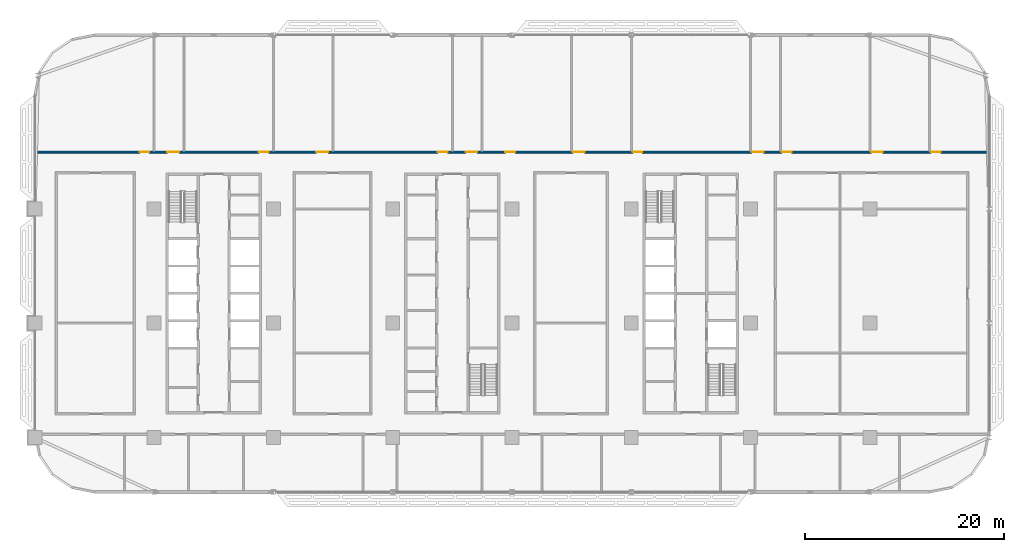
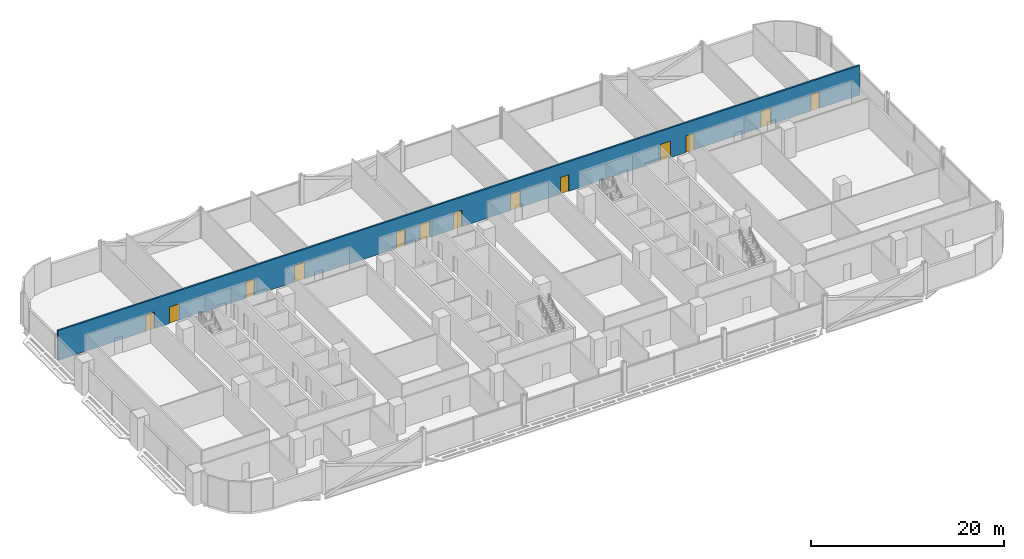
# One storey, part 15 of 29: 13 doors, 1 wall, 13 openings.
"""IFC4 building model written with IfcOpenShell, lengths in metres."""

import ifcopenshell
import ifcopenshell.guid

model = None  # the IFC model being written
_history = None  # IfcOwnerHistory: only IFC2X3 demands one
_inside = {}  # id of a spatial element -> (the spatial element, [elements in it])
_under = {}  # id of a project, library or spatial element -> (it, [spatial elements below it])
_declared = {}  # id of a project -> (the project, [libraries it declares])
_typed = {}  # id of a type object -> (the type object, [elements of that type])
_made_of = {}  # id of a material, layer set ... -> (it, [elements and type objects made of it])


def new_model(schema):
    """Start an empty IFC model of exactly this schema.

    Asked for "IFC4X3", IfcOpenShell would pick the latest addendum, in which some entities
    have other attributes; the version numbers below select the first issue.
    IFC2X3 requires an IfcOwnerHistory on every rooted entity: one is made here for all.
    """
    global model, _history
    if schema == "IFC4X3":
        model = ifcopenshell.file(schema_version=(4, 3, 0, 0))
    else:
        model = ifcopenshell.file(schema=schema)
    _inside.clear()
    _under.clear()
    _declared.clear()
    _typed.clear()
    _made_of.clear()
    _history = None
    if model.schema == "IFC2X3":
        org = make("IfcOrganization", Name="unknown")
        user = make(
            "IfcPersonAndOrganization",
            ThePerson=make("IfcPerson", FamilyName="unknown"),
            TheOrganization=org,
        )
        app = make(
            "IfcApplication",
            ApplicationDeveloper=org,
            Version="unknown",
            ApplicationFullName="unknown",
            ApplicationIdentifier="unknown",
        )
        _history = make(
            "IfcOwnerHistory",
            OwningUser=user,
            OwningApplication=app,
            ChangeAction="ADDED",
            CreationDate=0,
        )
    return model


def make(cls, **values):
    """One entity of the class cls with the attributes given. An attribute that is None is left unset."""
    return model.create_entity(
        cls, **{name: value for name, value in values.items() if value is not None}
    )


def rooted(cls, **values):
    """An entity with a GlobalId (a new one), such as an element, a storey or a relation."""
    return make(cls, GlobalId=ifcopenshell.guid.new(), OwnerHistory=_history, **values)


def si_unit(unit_type, name, prefix=None):
    """IfcSIUnit, for example si_unit("LENGTHUNIT", "METRE", prefix="MILLI")."""
    return make("IfcSIUnit", UnitType=unit_type, Prefix=prefix, Name=name)


def assignment(units):
    """IfcUnitAssignment: the units of a project."""
    return None if units is None else make("IfcUnitAssignment", Units=units)


def point(xyz):
    """IfcCartesianPoint."""
    return None if xyz is None else make("IfcCartesianPoint", Coordinates=xyz)


def direction(xyz):
    """IfcDirection."""
    return None if xyz is None else make("IfcDirection", DirectionRatios=xyz)


def frame(location, z_axis=None, x_axis=None):
    """IfcAxis2Placement3D, a coordinate frame: its origin and axes. An axis left out is left unset."""
    return make(
        "IfcAxis2Placement3D",
        Location=point(location),
        Axis=direction(z_axis),
        RefDirection=direction(x_axis),
    )


def frame_2d(location, x_axis=None):
    """IfcAxis2Placement2D, a coordinate frame in the plane: its origin and x axis."""
    return make(
        "IfcAxis2Placement2D", Location=point(location), RefDirection=direction(x_axis)
    )


def origin():
    """The frame at (0, 0, 0) with its axes left unset."""
    return frame((0.0, 0.0, 0.0))


def place(relative_to, where):
    """IfcLocalPlacement: puts the frame where relative to a parent placement (None: the world)."""
    return make(
        "IfcLocalPlacement", PlacementRelTo=relative_to, RelativePlacement=where
    )


def context(
    kind, dimensions, precision=None, world=None, true_north=None, identifier=None
):
    """IfcGeometricRepresentationContext, for example the 3D "Model" context."""
    return make(
        "IfcGeometricRepresentationContext",
        ContextIdentifier=identifier,
        ContextType=kind,
        CoordinateSpaceDimension=dimensions,
        Precision=precision,
        WorldCoordinateSystem=world,
        TrueNorth=true_north,
    )


def subcontext(parent, identifier, kind, view, scale=None):
    """IfcGeometricRepresentationSubContext, for example "Body" below "Model"."""
    return make(
        "IfcGeometricRepresentationSubContext",
        ContextIdentifier=identifier,
        ContextType=kind,
        ParentContext=parent,
        TargetScale=scale,
        TargetView=view,
    )


def project(units=None, contexts=None):
    """IfcProject with its units and contexts."""
    return rooted(
        "IfcProject",
        Name="project",
        RepresentationContexts=contexts,
        UnitsInContext=assignment(units),
    )


def spatial(cls, under=None, at=None, **own):
    """A site, building, storey or space (cls), placed at a placement, below another one or the project."""
    s = rooted(cls, ObjectPlacement=at, **own)
    if under is not None:
        _under.setdefault(under.id(), (under, []))[1].append(s)
    return s


def profile(cls, at=None, kind="AREA", **sizes):
    """A parametric profile (cls). Its sizes go by their IFC names, for example OverallWidth=200.0."""
    return make(cls, ProfileType=kind, Position=at, **sizes)


def rectangle(**sizes):
    """IfcRectangleProfileDef."""
    return profile("IfcRectangleProfileDef", **sizes)


def extrude(swept, where, along, depth):
    """IfcExtrudedAreaSolid: the profile swept, set in the frame where, extruded along a direction by depth."""
    return make(
        "IfcExtrudedAreaSolid",
        SweptArea=swept,
        Position=where,
        ExtrudedDirection=direction(along),
        Depth=depth,
    )


def shape(context_of_items, identifier, shape_type, items):
    """IfcShapeRepresentation: the items that make up one representation, for example the "Body"."""
    return make(
        "IfcShapeRepresentation",
        ContextOfItems=context_of_items,
        RepresentationIdentifier=identifier,
        RepresentationType=shape_type,
        Items=items,
    )


def material(Name=None, Category=None):
    """IfcMaterial."""
    return make("IfcMaterial", Name=Name, Category=Category)


def layer(
    of_material, thickness, ventilated=None, Name=None, Category=None, Priority=None
):
    """IfcMaterialLayer: one layer of a wall or slab, of a material (None: an air gap)."""
    return make(
        "IfcMaterialLayer",
        Material=of_material,
        LayerThickness=thickness,
        IsVentilated=ventilated,
        Name=Name,
        Category=Category,
        Priority=Priority,
    )


def layer_set(layers, Name=None):
    """IfcMaterialLayerSet."""
    return make("IfcMaterialLayerSet", MaterialLayers=layers, LayerSetName=Name)


def made_of(thing, what):
    """Note that an element or type object is made of a material, layer set ...; save() writes the relation."""
    if what is not None:
        _made_of.setdefault(what.id(), (what, []))[1].append(thing)
    return thing


def type_object(cls, material=None, **own):
    """A type object (cls), such as IfcWallType, which elements share."""
    return made_of(rooted(cls, **own), material)


def element(
    cls,
    number,
    at=None,
    inside=None,
    cuts=None,
    type_object=None,
    material=None,
    context=None,
    identifier="Body",
    shape_type=None,
    held_by="IfcProductDefinitionShape",
    body=None,
    shapes=None,
    **own,
):
    """One element of the class cls, such as IfcWall. Its Tag is "e" and its number.

    at: its placement. inside: the storey or other place that contains it. cuts: it is an
    opening in that element (IfcRelVoidsElement). A single representation is given by context,
    identifier, shape_type and body (its items); several are given by shapes. held_by: the class
    of the entity that holds the representations. save() writes the other relations.
    """
    e = rooted(cls, Tag="e%d" % number, ObjectPlacement=at, **own)
    if body is not None:
        shapes = [shape(context, identifier, shape_type, body)]
    if shapes is not None:
        e.Representation = make(held_by, Representations=shapes)
    if inside is not None:
        _inside.setdefault(inside.id(), (inside, []))[1].append(e)
    if cuts is not None:
        rooted(
            "IfcRelVoidsElement", RelatingBuildingElement=cuts, RelatedOpeningElement=e
        )
    if type_object is not None:
        _typed.setdefault(type_object.id(), (type_object, []))[1].append(e)
    return made_of(e, material)


def fill(opening, filler):
    """IfcRelFillsElement: the door or window that sits in an opening."""
    return rooted(
        "IfcRelFillsElement",
        RelatingOpeningElement=opening,
        RelatedBuildingElement=filler,
    )


def aggregate(whole, parts):
    """IfcRelAggregates: a whole, such as a stair, and the parts it consists of."""
    return rooted("IfcRelAggregates", RelatingObject=whole, RelatedObjects=parts)


def save(model, path):
    """Write the relations noted so far, then the file.

    IfcRelAggregates (storeys below a building ...), IfcRelContainedInSpatialStructure (elements
    in a storey), IfcRelDefinesByType, IfcRelAssociatesMaterial and IfcRelDeclares: one each for
    every whole, place, type object, material and project.
    """
    for whole, parts in _under.values():
        aggregate(whole, parts)
    for where, things in _inside.values():
        rooted(
            "IfcRelContainedInSpatialStructure",
            RelatedElements=things,
            RelatingStructure=where,
        )
    for kind, things in _typed.values():
        rooted("IfcRelDefinesByType", RelatedObjects=things, RelatingType=kind)
    for what, things in _made_of.values():
        rooted("IfcRelAssociatesMaterial", RelatedObjects=things, RelatingMaterial=what)
    for by, libraries in _declared.values():
        rooted("IfcRelDeclares", RelatingContext=by, RelatedDefinitions=libraries)
    model.write(path)


model = new_model("IFC4")

# Units and contexts
model_context = context("Model", 3, precision=1e-05, world=origin(), true_north=direction((0.0, 1.0)))
body_context = subcontext(model_context, "Body", "Model", "MODEL_VIEW")
ifc_project = project(units=[si_unit("LENGTHUNIT", "METRE"), si_unit("AREAUNIT", "SQUARE_METRE"), si_unit("VOLUMEUNIT", "CUBIC_METRE"), si_unit("PLANEANGLEUNIT", "RADIAN"), si_unit("MASSUNIT", "GRAM", prefix="KILO")], contexts=[model_context])

# Site, building, storey
site_placement = place(None, origin())
site = spatial("IfcSite", under=ifc_project, at=site_placement, CompositionType="ELEMENT")
building_placement = place(site_placement, origin())
building = spatial("IfcBuilding", under=site, at=building_placement, Name="Mahtab Terrace Research Tower", CompositionType="ELEMENT")
storey_placement = place(building_placement, frame((0.0, 0.0, 97.10009765625)))
storey = spatial("IfcBuildingStorey", under=building, at=storey_placement, Name="L22", CompositionType="ELEMENT", Elevation=97.10009765625)

# Wall, openings, doors
ifc_material_1 = material(Name="Gypsum board corridor wall on steel studs", Category="steel")
ifc_layer = layer(ifc_material_1, 0.199951171875)
ifc_layer_set = layer_set([ifc_layer], Name="WALL CORRIDOR 200")
wall_type = type_object("IfcWallType", Name="WALL CORRIDOR 200", PredefinedType="PARTITIONING", material=ifc_layer_set)
wall_placement = place(storey_placement, frame((-41.97509765625, 17.199951171875, 0.0), z_axis=(0.0, 0.0, 1.0), x_axis=(1.0, 0.0, 0.0)))
wall = element("IfcWall", 1, at=wall_placement, inside=storey, type_object=wall_type, Name="L22-W024", PredefinedType="PARTITIONING", context=body_context, shape_type="SweptSolid", body=[
    extrude(rectangle(XDim=95.9501953125, YDim=0.199951171875, at=frame_2d((47.97509765625, 0.0))), origin(), (0.0, 0.0, 1.0), 3.760009765625),
])
opening_1_placement = place(wall_placement, frame((10.5, 0.0, 0.0)))
opening_1 = element("IfcOpeningElement", 2, at=opening_1_placement, cuts=wall, Name="Opening L22-127", PredefinedType="OPENING", context=body_context, shape_type="SweptSolid", body=[
    extrude(rectangle(XDim=1.0, YDim=2.10009765625, at=frame_2d((0.5, 1.050048828125))), frame((0.0, 0.10986328125, 0.0), z_axis=(0.0, -1.0, 0.0), x_axis=(1.0, 0.0, 0.0)), (0.0, 0.0, 1.0), 0.219970703125),
])
opening_2_placement = place(wall_placement, frame((13.300048828125, 0.0, 0.0)))
opening_2 = element("IfcOpeningElement", 3, at=opening_2_placement, cuts=wall, Name="Opening L22-128", PredefinedType="OPENING", context=body_context, shape_type="SweptSolid", body=[
    extrude(rectangle(XDim=1.199951171875, YDim=2.10009765625, at=frame_2d((0.60009765625, 1.050048828125))), frame((0.0, 0.10986328125, 0.0), z_axis=(0.0, -1.0, 0.0), x_axis=(1.0, 0.0, 0.0)), (0.0, 0.0, 1.0), 0.219970703125),
])
opening_3_placement = place(wall_placement, frame((22.5, 0.0, 0.0)))
opening_3 = element("IfcOpeningElement", 4, at=opening_3_placement, cuts=wall, Name="Opening L22-129", PredefinedType="OPENING", context=body_context, shape_type="SweptSolid", body=[
    extrude(rectangle(XDim=1.0, YDim=2.10009765625, at=frame_2d((0.5, 1.050048828125))), frame((0.0, 0.10986328125, 0.0), z_axis=(0.0, -1.0, 0.0), x_axis=(1.0, 0.0, 0.0)), (0.0, 0.0, 1.0), 0.219970703125),
])
opening_4_placement = place(wall_placement, frame((28.300048828125, 0.0, 0.0)))
opening_4 = element("IfcOpeningElement", 5, at=opening_4_placement, cuts=wall, Name="Opening L22-130", PredefinedType="OPENING", context=body_context, shape_type="SweptSolid", body=[
    extrude(rectangle(XDim=1.199951171875, YDim=2.10009765625, at=frame_2d((0.60009765625, 1.050048828125))), frame((0.0, 0.10986328125, 0.0), z_axis=(0.0, -1.0, 0.0), x_axis=(1.0, 0.0, 0.0)), (0.0, 0.0, 1.0), 0.219970703125),
])
opening_5_placement = place(wall_placement, frame((40.5, 0.0, 0.0)))
opening_5 = element("IfcOpeningElement", 6, at=opening_5_placement, cuts=wall, Name="Opening L22-131", PredefinedType="OPENING", context=body_context, shape_type="SweptSolid", body=[
    extrude(rectangle(XDim=1.0, YDim=2.10009765625, at=frame_2d((0.5, 1.050048828125))), frame((0.0, 0.10986328125, 0.0), z_axis=(0.0, -1.0, 0.0), x_axis=(1.0, 0.0, 0.0)), (0.0, 0.0, 1.0), 0.219970703125),
])
opening_6_placement = place(wall_placement, frame((43.300048828125, 0.0, 0.0)))
opening_6 = element("IfcOpeningElement", 7, at=opening_6_placement, cuts=wall, Name="Opening L22-132", PredefinedType="OPENING", context=body_context, shape_type="SweptSolid", body=[
    extrude(rectangle(XDim=1.199951171875, YDim=2.10009765625, at=frame_2d((0.60009765625, 1.050048828125))), frame((0.0, 0.10986328125, 0.0), z_axis=(0.0, -1.0, 0.0), x_axis=(1.0, 0.0, 0.0)), (0.0, 0.0, 1.0), 0.219970703125),
])
opening_7_placement = place(wall_placement, frame((47.300048828125, 0.0, 0.0)))
opening_7 = element("IfcOpeningElement", 8, at=opening_7_placement, cuts=wall, Name="Opening L22-133", PredefinedType="OPENING", context=body_context, shape_type="SweptSolid", body=[
    extrude(rectangle(XDim=1.0, YDim=2.10009765625, at=frame_2d((0.5, 1.050048828125))), frame((0.0, 0.10986328125, 0.0), z_axis=(0.0, -1.0, 0.0), x_axis=(1.0, 0.0, 0.0)), (0.0, 0.0, 1.0), 0.219970703125),
])
opening_8_placement = place(wall_placement, frame((54.10009765625, 0.0, 0.0)))
opening_8 = element("IfcOpeningElement", 9, at=opening_8_placement, cuts=wall, Name="Opening L22-134", PredefinedType="OPENING", context=body_context, shape_type="SweptSolid", body=[
    extrude(rectangle(XDim=1.199951171875, YDim=2.10009765625, at=frame_2d((0.60009765625, 1.050048828125))), frame((0.0, 0.10986328125, 0.0), z_axis=(0.0, -1.0, 0.0), x_axis=(1.0, 0.0, 0.0)), (0.0, 0.0, 1.0), 0.219970703125),
])
opening_9_placement = place(wall_placement, frame((60.10009765625, 0.0, 0.0)))
opening_9 = element("IfcOpeningElement", 10, at=opening_9_placement, cuts=wall, Name="Opening L22-135", PredefinedType="OPENING", context=body_context, shape_type="SweptSolid", body=[
    extrude(rectangle(XDim=1.0, YDim=2.10009765625, at=frame_2d((0.5, 1.050048828125))), frame((0.0, 0.10986328125, 0.0), z_axis=(0.0, -1.0, 0.0), x_axis=(1.0, 0.0, 0.0)), (0.0, 0.0, 1.0), 0.219970703125),
])
opening_10_placement = place(wall_placement, frame((72.10009765625, 0.0, 0.0)))
opening_10 = element("IfcOpeningElement", 11, at=opening_10_placement, cuts=wall, Name="Opening L22-136", PredefinedType="OPENING", context=body_context, shape_type="SweptSolid", body=[
    extrude(rectangle(XDim=1.199951171875, YDim=2.10009765625, at=frame_2d((0.60009765625, 1.050048828125))), frame((0.0, 0.10986328125, 0.0), z_axis=(0.0, -1.0, 0.0), x_axis=(1.0, 0.0, 0.0)), (0.0, 0.0, 1.0), 0.219970703125),
])
opening_11_placement = place(wall_placement, frame((75.10009765625, 0.0, 0.0)))
opening_11 = element("IfcOpeningElement", 12, at=opening_11_placement, cuts=wall, Name="Opening L22-137", PredefinedType="OPENING", context=body_context, shape_type="SweptSolid", body=[
    extrude(rectangle(XDim=1.0, YDim=2.10009765625, at=frame_2d((0.5, 1.050048828125))), frame((0.0, 0.10986328125, 0.0), z_axis=(0.0, -1.0, 0.0), x_axis=(1.0, 0.0, 0.0)), (0.0, 0.0, 1.0), 0.219970703125),
])
opening_12_placement = place(wall_placement, frame((84.10009765625, 0.0, 0.0)))
opening_12 = element("IfcOpeningElement", 13, at=opening_12_placement, cuts=wall, Name="Opening L22-138", PredefinedType="OPENING", context=body_context, shape_type="SweptSolid", body=[
    extrude(rectangle(XDim=1.199951171875, YDim=2.10009765625, at=frame_2d((0.60009765625, 1.050048828125))), frame((0.0, 0.10986328125, 0.0), z_axis=(0.0, -1.0, 0.0), x_axis=(1.0, 0.0, 0.0)), (0.0, 0.0, 1.0), 0.219970703125),
])
opening_13_placement = place(wall_placement, frame((90.10009765625, 0.0, 0.0)))
opening_13 = element("IfcOpeningElement", 14, at=opening_13_placement, cuts=wall, Name="Opening L22-139", PredefinedType="OPENING", context=body_context, shape_type="SweptSolid", body=[
    extrude(rectangle(XDim=1.0, YDim=2.10009765625, at=frame_2d((0.5, 1.050048828125))), frame((0.0, 0.10986328125, 0.0), z_axis=(0.0, -1.0, 0.0), x_axis=(1.0, 0.0, 0.0)), (0.0, 0.0, 1.0), 0.219970703125),
])
ifc_material_2 = material(Name="Timber door leaf in steel frame", Category="steel")
door_type_1 = type_object("IfcDoorType", Name="DOOR 1000X2100 FD30S", OperationType="SINGLE_SWING_LEFT", PredefinedType="DOOR", material=ifc_material_2)
door_1_placement = place(opening_1_placement, origin())
door_1 = element("IfcDoor", 15, at=door_1_placement, inside=storey, type_object=door_type_1, Name="Door L22-127", OperationType="SINGLE_SWING_LEFT", OverallHeight=2.10009765625, OverallWidth=1.0, PredefinedType="DOOR", context=body_context, shape_type="SweptSolid", body=[
    extrude(rectangle(XDim=1.0, YDim=2.10009765625, at=frame_2d((0.5, 1.050048828125))), frame((0.0, 0.02490234375, 0.0), z_axis=(0.0, -1.0, 0.0), x_axis=(1.0, 0.0, 0.0)), (0.0, 0.0, 1.0), 0.050048828125),
])
fill(opening_1, door_1)
door_2_placement = place(opening_3_placement, origin())
door_2 = element("IfcDoor", 16, at=door_2_placement, inside=storey, type_object=door_type_1, Name="Door L22-129", OperationType="SINGLE_SWING_LEFT", OverallHeight=2.10009765625, OverallWidth=1.0, PredefinedType="DOOR", context=body_context, shape_type="SweptSolid", body=[
    extrude(rectangle(XDim=1.0, YDim=2.10009765625, at=frame_2d((0.5, 1.050048828125))), frame((0.0, 0.02490234375, 0.0), z_axis=(0.0, -1.0, 0.0), x_axis=(1.0, 0.0, 0.0)), (0.0, 0.0, 1.0), 0.050048828125),
])
fill(opening_3, door_2)
door_3_placement = place(opening_5_placement, origin())
door_3 = element("IfcDoor", 17, at=door_3_placement, inside=storey, type_object=door_type_1, Name="Door L22-131", OperationType="SINGLE_SWING_LEFT", OverallHeight=2.10009765625, OverallWidth=1.0, PredefinedType="DOOR", context=body_context, shape_type="SweptSolid", body=[
    extrude(rectangle(XDim=1.0, YDim=2.10009765625, at=frame_2d((0.5, 1.050048828125))), frame((0.0, 0.02490234375, 0.0), z_axis=(0.0, -1.0, 0.0), x_axis=(1.0, 0.0, 0.0)), (0.0, 0.0, 1.0), 0.050048828125),
])
fill(opening_5, door_3)
door_4_placement = place(opening_7_placement, origin())
door_4 = element("IfcDoor", 18, at=door_4_placement, inside=storey, type_object=door_type_1, Name="Door L22-133", OperationType="SINGLE_SWING_LEFT", OverallHeight=2.10009765625, OverallWidth=1.0, PredefinedType="DOOR", context=body_context, shape_type="SweptSolid", body=[
    extrude(rectangle(XDim=1.0, YDim=2.10009765625, at=frame_2d((0.5, 1.050048828125))), frame((0.0, 0.02490234375, 0.0), z_axis=(0.0, -1.0, 0.0), x_axis=(1.0, 0.0, 0.0)), (0.0, 0.0, 1.0), 0.050048828125),
])
fill(opening_7, door_4)
door_5_placement = place(opening_9_placement, origin())
door_5 = element("IfcDoor", 19, at=door_5_placement, inside=storey, type_object=door_type_1, Name="Door L22-135", OperationType="SINGLE_SWING_RIGHT", OverallHeight=2.10009765625, OverallWidth=1.0, PredefinedType="DOOR", context=body_context, shape_type="SweptSolid", body=[
    extrude(rectangle(XDim=1.0, YDim=2.10009765625, at=frame_2d((0.5, 1.050048828125))), frame((0.0, 0.02490234375, 0.0), z_axis=(0.0, -1.0, 0.0), x_axis=(1.0, 0.0, 0.0)), (0.0, 0.0, 1.0), 0.050048828125),
])
fill(opening_9, door_5)
door_6_placement = place(opening_11_placement, origin())
door_6 = element("IfcDoor", 20, at=door_6_placement, inside=storey, type_object=door_type_1, Name="Door L22-137", OperationType="SINGLE_SWING_RIGHT", OverallHeight=2.10009765625, OverallWidth=1.0, PredefinedType="DOOR", context=body_context, shape_type="SweptSolid", body=[
    extrude(rectangle(XDim=1.0, YDim=2.10009765625, at=frame_2d((0.5, 1.050048828125))), frame((0.0, 0.02490234375, 0.0), z_axis=(0.0, -1.0, 0.0), x_axis=(1.0, 0.0, 0.0)), (0.0, 0.0, 1.0), 0.050048828125),
])
fill(opening_11, door_6)
door_7_placement = place(opening_13_placement, origin())
door_7 = element("IfcDoor", 21, at=door_7_placement, inside=storey, type_object=door_type_1, Name="Door L22-139", OperationType="SINGLE_SWING_RIGHT", OverallHeight=2.10009765625, OverallWidth=1.0, PredefinedType="DOOR", context=body_context, shape_type="SweptSolid", body=[
    extrude(rectangle(XDim=1.0, YDim=2.10009765625, at=frame_2d((0.5, 1.050048828125))), frame((0.0, 0.02490234375, 0.0), z_axis=(0.0, -1.0, 0.0), x_axis=(1.0, 0.0, 0.0)), (0.0, 0.0, 1.0), 0.050048828125),
])
fill(opening_13, door_7)
door_type_2 = type_object("IfcDoorType", Name="DOOR 1200X2100 FD30S", OperationType="SINGLE_SWING_LEFT", PredefinedType="DOOR", material=ifc_material_2)
door_8_placement = place(opening_2_placement, origin())
door_8 = element("IfcDoor", 22, at=door_8_placement, inside=storey, type_object=door_type_2, Name="Door L22-128", OperationType="SINGLE_SWING_LEFT", OverallHeight=2.10009765625, OverallWidth=1.199951171875, PredefinedType="DOOR", context=body_context, shape_type="SweptSolid", body=[
    extrude(rectangle(XDim=1.199951171875, YDim=2.10009765625, at=frame_2d((0.60009765625, 1.050048828125))), frame((0.0, 0.02490234375, 0.0), z_axis=(0.0, -1.0, 0.0), x_axis=(1.0, 0.0, 0.0)), (0.0, 0.0, 1.0), 0.050048828125),
])
fill(opening_2, door_8)
door_9_placement = place(opening_4_placement, origin())
door_9 = element("IfcDoor", 23, at=door_9_placement, inside=storey, type_object=door_type_2, Name="Door L22-130", OperationType="SINGLE_SWING_LEFT", OverallHeight=2.10009765625, OverallWidth=1.199951171875, PredefinedType="DOOR", context=body_context, shape_type="SweptSolid", body=[
    extrude(rectangle(XDim=1.199951171875, YDim=2.10009765625, at=frame_2d((0.60009765625, 1.050048828125))), frame((0.0, 0.02490234375, 0.0), z_axis=(0.0, -1.0, 0.0), x_axis=(1.0, 0.0, 0.0)), (0.0, 0.0, 1.0), 0.050048828125),
])
fill(opening_4, door_9)
door_10_placement = place(opening_6_placement, origin())
door_10 = element("IfcDoor", 24, at=door_10_placement, inside=storey, type_object=door_type_2, Name="Door L22-132", OperationType="SINGLE_SWING_LEFT", OverallHeight=2.10009765625, OverallWidth=1.199951171875, PredefinedType="DOOR", context=body_context, shape_type="SweptSolid", body=[
    extrude(rectangle(XDim=1.199951171875, YDim=2.10009765625, at=frame_2d((0.60009765625, 1.050048828125))), frame((0.0, 0.02490234375, 0.0), z_axis=(0.0, -1.0, 0.0), x_axis=(1.0, 0.0, 0.0)), (0.0, 0.0, 1.0), 0.050048828125),
])
fill(opening_6, door_10)
door_11_placement = place(opening_8_placement, origin())
door_11 = element("IfcDoor", 25, at=door_11_placement, inside=storey, type_object=door_type_2, Name="Door L22-134", OperationType="SINGLE_SWING_RIGHT", OverallHeight=2.10009765625, OverallWidth=1.199951171875, PredefinedType="DOOR", context=body_context, shape_type="SweptSolid", body=[
    extrude(rectangle(XDim=1.199951171875, YDim=2.10009765625, at=frame_2d((0.60009765625, 1.050048828125))), frame((0.0, 0.02490234375, 0.0), z_axis=(0.0, -1.0, 0.0), x_axis=(1.0, 0.0, 0.0)), (0.0, 0.0, 1.0), 0.050048828125),
])
fill(opening_8, door_11)
door_12_placement = place(opening_10_placement, origin())
door_12 = element("IfcDoor", 26, at=door_12_placement, inside=storey, type_object=door_type_2, Name="Door L22-136", OperationType="SINGLE_SWING_RIGHT", OverallHeight=2.10009765625, OverallWidth=1.199951171875, PredefinedType="DOOR", context=body_context, shape_type="SweptSolid", body=[
    extrude(rectangle(XDim=1.199951171875, YDim=2.10009765625, at=frame_2d((0.60009765625, 1.050048828125))), frame((0.0, 0.02490234375, 0.0), z_axis=(0.0, -1.0, 0.0), x_axis=(1.0, 0.0, 0.0)), (0.0, 0.0, 1.0), 0.050048828125),
])
fill(opening_10, door_12)
door_13_placement = place(opening_12_placement, origin())
door_13 = element("IfcDoor", 27, at=door_13_placement, inside=storey, type_object=door_type_2, Name="Door L22-138", OperationType="SINGLE_SWING_RIGHT", OverallHeight=2.10009765625, OverallWidth=1.199951171875, PredefinedType="DOOR", context=body_context, shape_type="SweptSolid", body=[
    extrude(rectangle(XDim=1.199951171875, YDim=2.10009765625, at=frame_2d((0.60009765625, 1.050048828125))), frame((0.0, 0.02490234375, 0.0), z_axis=(0.0, -1.0, 0.0), x_axis=(1.0, 0.0, 0.0)), (0.0, 0.0, 1.0), 0.050048828125),
])
fill(opening_12, door_13)

save(model, "model.ifc")
